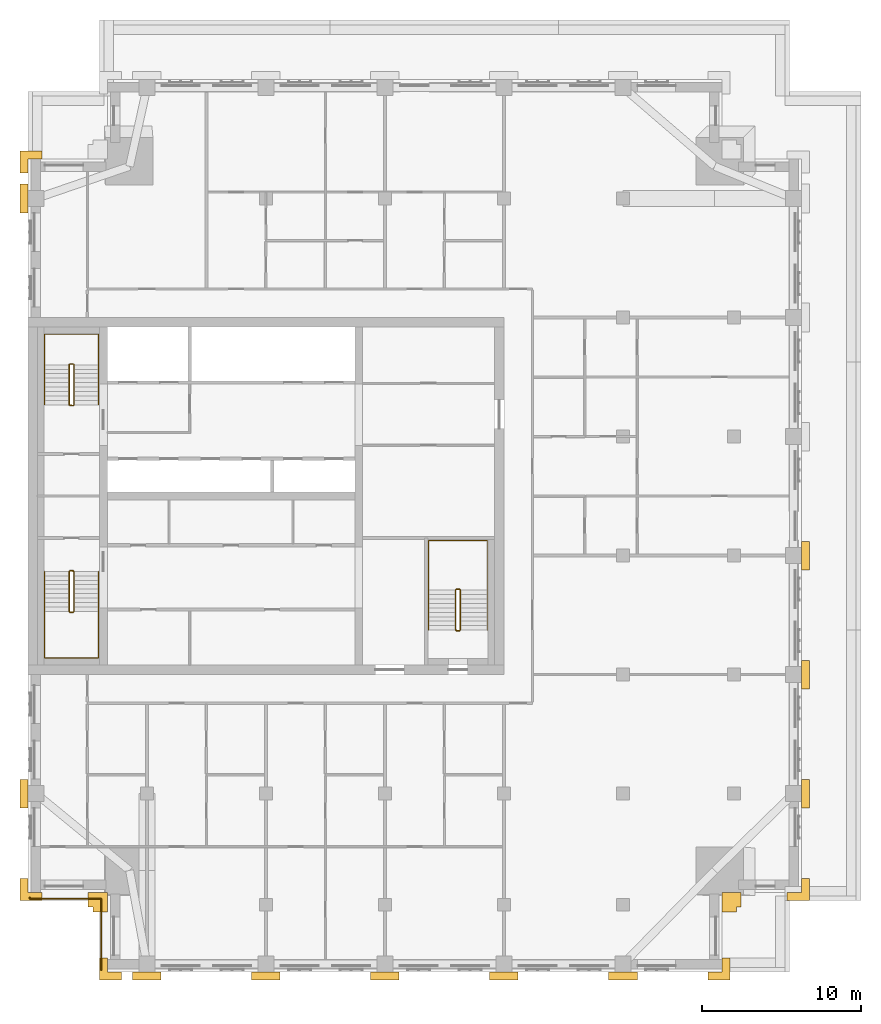
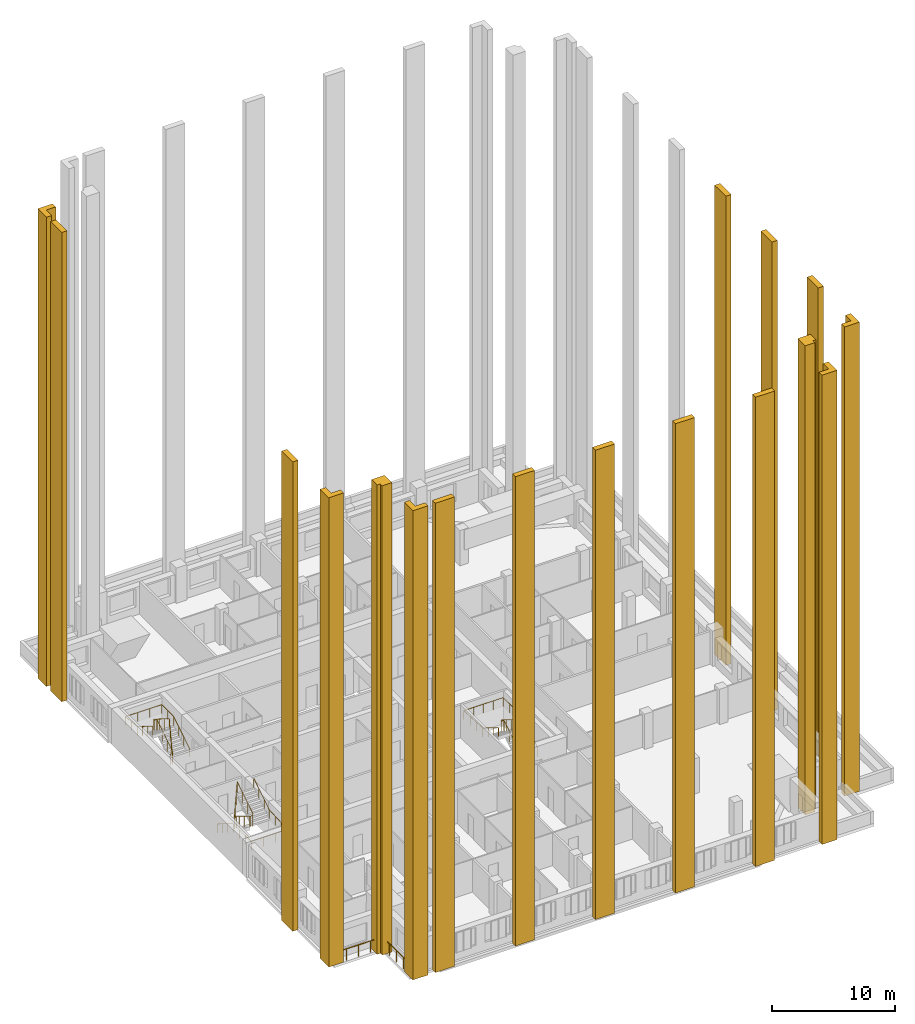
# One storey, part 11 of 12: 17 coverings, 7 railings.
"""IFC4 building model written with IfcOpenShell, lengths in metres."""

from ifc_helpers import new_model, si_unit, direction, frame, origin, origin_2d, place, context, subcontext, project, spatial, polyline, circle, outline, extrude, material, layer, layer_set, type_object, element, save


model = new_model("IFC4")

# Units and contexts
model_context = context("Model", 3, precision=1e-05, world=origin(), true_north=direction((0.0, 1.0)))
body_context = subcontext(model_context, "Body", "Model", "MODEL_VIEW")
ifc_project = project(units=[si_unit("LENGTHUNIT", "METRE"), si_unit("AREAUNIT", "SQUARE_METRE"), si_unit("VOLUMEUNIT", "CUBIC_METRE"), si_unit("PLANEANGLEUNIT", "RADIAN"), si_unit("MASSUNIT", "GRAM", prefix="KILO")], contexts=[model_context])

# Site, building, storey
site_placement = place(None, origin())
site = spatial("IfcSite", under=ifc_project, at=site_placement, CompositionType="ELEMENT")
building_placement = place(site_placement, origin())
building = spatial("IfcBuilding", under=site, at=building_placement, Name="Tamorin Gate", CompositionType="ELEMENT")
storey_placement = place(building_placement, frame((0.0, 0.0, 219.699951171875)))
storey = spatial("IfcBuildingStorey", under=building, at=storey_placement, Name="L54", CompositionType="ELEMENT", Elevation=219.699951171875)

# Coverings
ifc_material_1 = material(Name="Precast concrete C40/50", Category="concrete")
ifc_layer_1 = layer(ifc_material_1, 0.5)
ifc_layer_set_1 = layer_set([ifc_layer_1], Name="Corner pier cladding 500")
covering_type_1 = type_object("IfcCoveringType", Name="Corner pier cladding 500", PredefinedType="CLADDING", material=ifc_layer_set_1)
covering_1_placement = place(storey_placement, origin())
element("IfcCovering", 1, at=covering_1_placement, inside=storey, type_object=covering_type_1, Name="Corner pier", PredefinedType="CLADDING", context=body_context, shape_type="SweptSolid", body=[
    extrude(outline(polyline([(34.5, 40.75), (34.5, 42.14990234375), (35.0, 42.14990234375), (35.0, 41.25), (35.89990234375, 41.25), (35.89990234375, 40.75), (34.5, 40.75)])), origin(), (0.0, 0.0, 1.0), 46.5),
])
covering_2_placement = place(storey_placement, origin())
element("IfcCovering", 2, at=covering_2_placement, inside=storey, type_object=covering_type_1, Name="Corner pier", PredefinedType="CLADDING", context=body_context, shape_type="SweptSolid", body=[
    extrude(outline(polyline([(74.25, 40.75), (72.85009765625, 40.75), (72.85009765625, 41.25), (73.75, 41.25), (73.75, 42.14990234375), (74.25, 42.14990234375), (74.25, 40.75)])), origin(), (0.0, 0.0, 1.0), 46.5),
])
covering_3_placement = place(storey_placement, origin())
element("IfcCovering", 3, at=covering_3_placement, inside=storey, type_object=covering_type_1, Name="Corner pier", PredefinedType="CLADDING", context=body_context, shape_type="SweptSolid", body=[
    extrude(outline(polyline([(79.25, 45.75), (77.85009765625, 45.75), (77.85009765625, 46.25), (78.75, 46.25), (78.75, 47.14990234375), (79.25, 47.14990234375), (79.25, 45.75)])), origin(), (0.0, 0.0, 1.0), 46.5),
])
covering_4_placement = place(storey_placement, origin())
element("IfcCovering", 4, at=covering_4_placement, inside=storey, type_object=covering_type_1, Name="Corner pier", PredefinedType="CLADDING", context=body_context, shape_type="SweptSolid", body=[
    extrude(outline(polyline([(29.5, 93.0), (30.89990234375, 93.0), (30.89990234375, 92.5), (30.0, 92.5), (30.0, 91.60009765625), (29.5, 91.60009765625), (29.5, 93.0)])), origin(), (0.0, 0.0, 1.0), 46.5),
])
covering_5_placement = place(storey_placement, origin())
element("IfcCovering", 5, at=covering_5_placement, inside=storey, type_object=covering_type_1, Name="Corner pier", PredefinedType="CLADDING", context=body_context, shape_type="SweptSolid", body=[
    extrude(outline(polyline([(29.5, 45.75), (29.5, 47.14990234375), (30.0, 47.14990234375), (30.0, 46.25), (30.89990234375, 46.25), (30.89990234375, 45.75), (29.5, 45.75)])), origin(), (0.0, 0.0, 1.0), 46.5),
])
ifc_layer_2 = layer(ifc_material_1, 0.89990234375)
ifc_layer_set_2 = layer_set([ifc_layer_2], Name="Corner pier cladding 900")
covering_type_2 = type_object("IfcCoveringType", Name="Corner pier cladding 900", PredefinedType="CLADDING", material=ifc_layer_set_2)
covering_6_placement = place(storey_placement, origin())
element("IfcCovering", 6, at=covering_6_placement, inside=storey, type_object=covering_type_2, Name="Corner pier", PredefinedType="CLADDING", context=body_context, shape_type="SweptSolid", body=[
    extrude(outline(polyline([(74.64990234375, 45.35009765625), (74.64990234375, 45.050048828125), (73.75, 45.050048828125), (73.75, 46.25), (74.949951171875, 46.25), (74.949951171875, 45.35009765625), (74.64990234375, 45.35009765625)])), origin(), (0.0, 0.0, 1.0), 46.5),
])
covering_7_placement = place(storey_placement, origin())
element("IfcCovering", 7, at=covering_7_placement, inside=storey, type_object=covering_type_2, Name="Corner pier", PredefinedType="CLADDING", context=body_context, shape_type="SweptSolid", body=[
    extrude(outline(polyline([(33.800048828125, 45.35009765625), (33.800048828125, 46.25), (35.0, 46.25), (35.0, 45.050048828125), (34.10009765625, 45.050048828125), (34.10009765625, 45.35009765625), (33.800048828125, 45.35009765625)])), origin(), (0.0, 0.0, 1.0), 46.5),
])
ifc_layer_3 = layer(ifc_material_1, 0.5)
ifc_layer_set_3 = layer_set([ifc_layer_3], Name="Precast concrete C40/50")
covering_type_3 = type_object("IfcCoveringType", Name="Precast pier 1800x500", PredefinedType="CLADDING", material=ifc_layer_set_3)
covering_8_placement = place(storey_placement, origin())
element("IfcCovering", 8, at=covering_8_placement, inside=storey, type_object=covering_type_3, Name="Precast pier", PredefinedType="CLADDING", context=body_context, shape_type="SweptSolid", body=[
    extrude(outline(polyline([(36.60009765625, 41.25), (38.39990234375, 41.25), (38.39990234375, 40.75), (36.60009765625, 40.75), (36.60009765625, 41.25)])), origin(), (0.0, 0.0, 1.0), 46.5),
])
covering_9_placement = place(storey_placement, origin())
element("IfcCovering", 9, at=covering_9_placement, inside=storey, type_object=covering_type_3, Name="Precast pier", PredefinedType="CLADDING", context=body_context, shape_type="SweptSolid", body=[
    extrude(outline(polyline([(44.10009765625, 41.25), (45.89990234375, 41.25), (45.89990234375, 40.75), (44.10009765625, 40.75), (44.10009765625, 41.25)])), origin(), (0.0, 0.0, 1.0), 46.5),
])
covering_10_placement = place(storey_placement, origin())
element("IfcCovering", 10, at=covering_10_placement, inside=storey, type_object=covering_type_3, Name="Precast pier", PredefinedType="CLADDING", context=body_context, shape_type="SweptSolid", body=[
    extrude(outline(polyline([(51.60009765625, 41.25), (53.39990234375, 41.25), (53.39990234375, 40.75), (51.60009765625, 40.75), (51.60009765625, 41.25)])), origin(), (0.0, 0.0, 1.0), 46.5),
])
covering_11_placement = place(storey_placement, origin())
element("IfcCovering", 11, at=covering_11_placement, inside=storey, type_object=covering_type_3, Name="Precast pier", PredefinedType="CLADDING", context=body_context, shape_type="SweptSolid", body=[
    extrude(outline(polyline([(59.10009765625, 41.25), (60.89990234375, 41.25), (60.89990234375, 40.75), (59.10009765625, 40.75), (59.10009765625, 41.25)])), origin(), (0.0, 0.0, 1.0), 46.5),
])
covering_12_placement = place(storey_placement, origin())
element("IfcCovering", 12, at=covering_12_placement, inside=storey, type_object=covering_type_3, Name="Precast pier", PredefinedType="CLADDING", context=body_context, shape_type="SweptSolid", body=[
    extrude(outline(polyline([(66.60009765625, 41.25), (68.39990234375, 41.25), (68.39990234375, 40.75), (66.60009765625, 40.75), (66.60009765625, 41.25)])), origin(), (0.0, 0.0, 1.0), 46.5),
])
covering_13_placement = place(storey_placement, origin())
element("IfcCovering", 13, at=covering_13_placement, inside=storey, type_object=covering_type_3, Name="Precast pier", PredefinedType="CLADDING", context=body_context, shape_type="SweptSolid", body=[
    extrude(outline(polyline([(78.75, 51.60009765625), (78.75, 53.39990234375), (79.25, 53.39990234375), (79.25, 51.60009765625), (78.75, 51.60009765625)])), origin(), (0.0, 0.0, 1.0), 46.5),
])
covering_14_placement = place(storey_placement, origin())
element("IfcCovering", 14, at=covering_14_placement, inside=storey, type_object=covering_type_3, Name="Precast pier", PredefinedType="CLADDING", context=body_context, shape_type="SweptSolid", body=[
    extrude(outline(polyline([(78.75, 59.10009765625), (78.75, 60.89990234375), (79.25, 60.89990234375), (79.25, 59.10009765625), (78.75, 59.10009765625)])), origin(), (0.0, 0.0, 1.0), 46.5),
])
covering_15_placement = place(storey_placement, origin())
element("IfcCovering", 15, at=covering_15_placement, inside=storey, type_object=covering_type_3, Name="Precast pier", PredefinedType="CLADDING", context=body_context, shape_type="SweptSolid", body=[
    extrude(outline(polyline([(78.75, 66.60009765625), (78.75, 68.39990234375), (79.25, 68.39990234375), (79.25, 66.60009765625), (78.75, 66.60009765625)])), origin(), (0.0, 0.0, 1.0), 46.5),
])
covering_16_placement = place(storey_placement, origin())
element("IfcCovering", 16, at=covering_16_placement, inside=storey, type_object=covering_type_3, Name="Precast pier", PredefinedType="CLADDING", context=body_context, shape_type="SweptSolid", body=[
    extrude(outline(polyline([(30.0, 53.39990234375), (30.0, 51.60009765625), (29.5, 51.60009765625), (29.5, 53.39990234375), (30.0, 53.39990234375)])), origin(), (0.0, 0.0, 1.0), 46.5),
])
covering_17_placement = place(storey_placement, origin())
element("IfcCovering", 17, at=covering_17_placement, inside=storey, type_object=covering_type_3, Name="Precast pier", PredefinedType="CLADDING", context=body_context, shape_type="SweptSolid", body=[
    extrude(outline(polyline([(30.0, 90.89990234375), (30.0, 89.10009765625), (29.5, 89.10009765625), (29.5, 90.89990234375), (30.0, 90.89990234375)])), origin(), (0.0, 0.0, 1.0), 46.5),
])

# Railings
ifc_material_2 = material(Name="Painted steel balustrade", Category="steel")
railing_type_1 = type_object("IfcRailingType", Name="Stair guard 1100", PredefinedType="GUARDRAIL", material=ifc_material_2)
railing_1_placement = place(storey_placement, frame((32.60009765625, 66.5, 0.175048828125)))
element("IfcRailing", 18, at=railing_1_placement, inside=storey, type_object=railing_type_1, Name="L54 ST1 stair guard 1", PredefinedType="GUARDRAIL", context=body_context, shape_type="SweptSolid", body=[
    extrude(circle(Radius=0.02392578125, at=origin_2d()), frame((0.0, 0.0, 1.076171875), z_axis=(0.0, -0.848007534815, 0.529984170421), x_axis=(1.0, 0.0, 0.0)), (0.0, 0.0, 1.0), 2.9716796875),
    extrude(circle(Radius=0.02392578125, at=origin_2d()), frame((0.0, -2.52001953125, 2.65087890625), z_axis=(0.705375805398, -0.708833529934, 0.0), x_axis=(0.708833529934, 0.705375805398, 0.0)), (0.0, 0.0, 1.0), 0.070556640625),
    extrude(circle(Radius=0.02392578125, at=origin_2d()), frame((0.0498046875, -2.570068359375, 2.65087890625), z_axis=(1.0, 0.0, 0.0), x_axis=(0.0, 1.0, 0.0)), (0.0, 0.0, 1.0), 0.2001953125),
    extrude(circle(Radius=0.02392578125, at=origin_2d()), frame((0.25, -2.570068359375, 2.65087890625), z_axis=(0.263862480399, 0.265155923931, 0.927399011991), x_axis=(-0.708833529934, 0.705375805398, 0.0)), (0.0, 0.0, 1.0), 0.188720703125),
    extrude(circle(Radius=0.02392578125, at=origin_2d()), frame((0.2998046875, -2.52001953125, 2.826171875), z_axis=(0.0, 0.848007534815, 0.529984170421), x_axis=(-1.0, 0.0, 0.0)), (0.0, 0.0, 1.0), 2.9716796875),
    extrude(circle(Radius=0.02392578125, at=origin_2d()), frame((0.2998046875, 0.0, 4.40087890625), z_axis=(-0.071239803756, 0.014261874775, -0.997357252587), x_axis=(-0.196300278283, -0.98054382908, 0.0)), (0.0, 0.0, 1.0), 3.50927734375),
    extrude(circle(Radius=0.02392578125, at=origin_2d()), frame((0.0498046875, 0.050048828125, 0.90087890625), z_axis=(1.0, 0.0, 0.0), x_axis=(0.0, 1.0, 0.0)), (0.0, 0.0, 1.0), 0.2001953125),
    extrude(circle(Radius=0.02099609375, at=origin_2d()), origin(), (0.0, 0.0, 1.0), 1.052001953125),
    extrude(circle(Radius=0.02099609375, at=origin_2d()), frame((0.0, -0.840087890625, 0.52490234375)), (0.0, 0.0, 1.0), 1.052001953125),
    extrude(circle(Radius=0.02099609375, at=origin_2d()), frame((0.0, -1.679931640625, 1.050048828125)), (0.0, 0.0, 1.0), 1.052001953125),
    extrude(circle(Radius=0.02099609375, at=origin_2d()), frame((0.0, -2.52001953125, 1.574951171875)), (0.0, 0.0, 1.0), 1.052001953125),
    extrude(circle(Radius=0.02099609375, at=origin_2d()), frame((0.0498046875, -2.570068359375, 1.574951171875)), (0.0, 0.0, 1.0), 1.052001953125),
    extrude(circle(Radius=0.02099609375, at=origin_2d()), frame((0.25, -2.570068359375, 1.574951171875)), (0.0, 0.0, 1.0), 1.052001953125),
    extrude(circle(Radius=0.02099609375, at=origin_2d()), frame((0.2998046875, -2.52001953125, 1.75)), (0.0, 0.0, 1.0), 1.052001953125),
    extrude(circle(Radius=0.02099609375, at=origin_2d()), frame((0.2998046875, -1.679931640625, 2.27490234375)), (0.0, 0.0, 1.0), 1.052001953125),
    extrude(circle(Radius=0.02099609375, at=origin_2d()), frame((0.2998046875, -0.840087890625, 2.800048828125)), (0.0, 0.0, 1.0), 1.052001953125),
    extrude(circle(Radius=0.02099609375, at=origin_2d()), frame((0.2998046875, 0.0, 3.324951171875)), (0.0, 0.0, 1.0), 1.052001953125),
    extrude(circle(Radius=0.02099609375, at=origin_2d()), frame((0.216552734375, 0.0166015625, 2.158203125)), (0.0, 0.0, 1.0), 1.052001953125),
    extrude(circle(Radius=0.02099609375, at=origin_2d()), frame((0.133056640625, 0.033447265625, 0.99169921875)), (0.0, 0.0, 1.0), 1.052001953125),
    extrude(circle(Radius=0.02099609375, at=origin_2d()), frame((0.0498046875, 0.050048828125, -0.175048828125)), (0.0, 0.0, 1.0), 1.052001953125),
    extrude(circle(Radius=0.02099609375, at=origin_2d()), frame((0.25, 0.050048828125, -0.175048828125)), (0.0, 0.0, 1.0), 1.052001953125),
])
railing_2_placement = place(storey_placement, frame((32.89990234375, 77.0, 0.175048828125)))
element("IfcRailing", 19, at=railing_2_placement, inside=storey, type_object=railing_type_1, Name="L54 ST2 stair guard 1", PredefinedType="GUARDRAIL", context=body_context, shape_type="SweptSolid", body=[
    extrude(circle(Radius=0.02392578125, at=origin_2d()), frame((0.0, 0.0, 1.076171875), z_axis=(0.0, 0.848007534815, 0.529984170421), x_axis=(-1.0, 0.0, 0.0)), (0.0, 0.0, 1.0), 2.9716796875),
    extrude(circle(Radius=0.02392578125, at=origin_2d()), frame((0.0, 2.52001953125, 2.65087890625), z_axis=(-0.705375805398, 0.708833529934, 0.0), x_axis=(-0.708833529934, -0.705375805398, 0.0)), (0.0, 0.0, 1.0), 0.070556640625),
    extrude(circle(Radius=0.02392578125, at=origin_2d()), frame((-0.0498046875, 2.570068359375, 2.65087890625), z_axis=(-1.0, 0.0, 0.0), x_axis=(0.0, -1.0, 0.0)), (0.0, 0.0, 1.0), 0.2001953125),
    extrude(circle(Radius=0.02392578125, at=origin_2d()), frame((-0.25, 2.570068359375, 2.65087890625), z_axis=(-0.263862480399, -0.265155923931, 0.927399011991), x_axis=(0.708833529934, -0.705375805398, 0.0)), (0.0, 0.0, 1.0), 0.188720703125),
    extrude(circle(Radius=0.02392578125, at=origin_2d()), frame((-0.2998046875, 2.52001953125, 2.826171875), z_axis=(0.0, -0.848007534815, 0.529984170421), x_axis=(1.0, 0.0, 0.0)), (0.0, 0.0, 1.0), 2.9716796875),
    extrude(circle(Radius=0.02392578125, at=origin_2d()), frame((-0.2998046875, 0.0, 4.40087890625), z_axis=(0.071239803756, -0.014261874775, -0.997357252587), x_axis=(0.196300278283, 0.98054382908, 0.0)), (0.0, 0.0, 1.0), 3.50927734375),
    extrude(circle(Radius=0.02392578125, at=origin_2d()), frame((-0.0498046875, -0.050048828125, 0.90087890625), z_axis=(-1.0, 0.0, 0.0), x_axis=(0.0, -1.0, 0.0)), (0.0, 0.0, 1.0), 0.2001953125),
    extrude(circle(Radius=0.02099609375, at=origin_2d()), origin(), (0.0, 0.0, 1.0), 1.052001953125),
    extrude(circle(Radius=0.02099609375, at=origin_2d()), frame((0.0, 0.840087890625, 0.52490234375)), (0.0, 0.0, 1.0), 1.052001953125),
    extrude(circle(Radius=0.02099609375, at=origin_2d()), frame((0.0, 1.679931640625, 1.050048828125)), (0.0, 0.0, 1.0), 1.052001953125),
    extrude(circle(Radius=0.02099609375, at=origin_2d()), frame((0.0, 2.52001953125, 1.574951171875)), (0.0, 0.0, 1.0), 1.052001953125),
    extrude(circle(Radius=0.02099609375, at=origin_2d()), frame((-0.0498046875, 2.570068359375, 1.574951171875)), (0.0, 0.0, 1.0), 1.052001953125),
    extrude(circle(Radius=0.02099609375, at=origin_2d()), frame((-0.25, 2.570068359375, 1.574951171875)), (0.0, 0.0, 1.0), 1.052001953125),
    extrude(circle(Radius=0.02099609375, at=origin_2d()), frame((-0.2998046875, 2.52001953125, 1.75)), (0.0, 0.0, 1.0), 1.052001953125),
    extrude(circle(Radius=0.02099609375, at=origin_2d()), frame((-0.2998046875, 1.679931640625, 2.27490234375)), (0.0, 0.0, 1.0), 1.052001953125),
    extrude(circle(Radius=0.02099609375, at=origin_2d()), frame((-0.2998046875, 0.840087890625, 2.800048828125)), (0.0, 0.0, 1.0), 1.052001953125),
    extrude(circle(Radius=0.02099609375, at=origin_2d()), frame((-0.2998046875, 0.0, 3.324951171875)), (0.0, 0.0, 1.0), 1.052001953125),
    extrude(circle(Radius=0.02099609375, at=origin_2d()), frame((-0.216552734375, -0.0166015625, 2.158203125)), (0.0, 0.0, 1.0), 1.052001953125),
    extrude(circle(Radius=0.02099609375, at=origin_2d()), frame((-0.133056640625, -0.033447265625, 0.99169921875)), (0.0, 0.0, 1.0), 1.052001953125),
    extrude(circle(Radius=0.02099609375, at=origin_2d()), frame((-0.0498046875, -0.050048828125, -0.175048828125)), (0.0, 0.0, 1.0), 1.052001953125),
    extrude(circle(Radius=0.02099609375, at=origin_2d()), frame((-0.25, -0.050048828125, -0.175048828125)), (0.0, 0.0, 1.0), 1.052001953125),
])
railing_3_placement = place(storey_placement, frame((57.25, 62.800048828125, 0.175048828125)))
element("IfcRailing", 20, at=railing_3_placement, inside=storey, type_object=railing_type_1, Name="L54 ST3 stair guard 1", PredefinedType="GUARDRAIL", context=body_context, shape_type="SweptSolid", body=[
    extrude(circle(Radius=0.02392578125, at=origin_2d()), frame((0.0, 0.0, 1.076171875), z_axis=(0.0, 0.848007534815, 0.529984170421), x_axis=(-1.0, 0.0, 0.0)), (0.0, 0.0, 1.0), 2.9716796875),
    extrude(circle(Radius=0.02392578125, at=origin_2d()), frame((0.0, 2.52001953125, 2.65087890625), z_axis=(-0.707106781187, 0.707106781187, 0.0), x_axis=(-0.707106781187, -0.707106781187, 0.0)), (0.0, 0.0, 1.0), 0.07080078125),
    extrude(circle(Radius=0.02392578125, at=origin_2d()), frame((-0.050048828125, 2.570068359375, 2.65087890625), z_axis=(-1.0, 0.0, 0.0), x_axis=(0.0, -1.0, 0.0)), (0.0, 0.0, 1.0), 0.199951171875),
    extrude(circle(Radius=0.02392578125, at=origin_2d()), frame((-0.25, 2.570068359375, 2.65087890625), z_axis=(-0.265065253269, -0.265065253269, 0.927081885822), x_axis=(0.707106781187, -0.707106781187, 0.0)), (0.0, 0.0, 1.0), 0.188720703125),
    extrude(circle(Radius=0.02392578125, at=origin_2d()), frame((-0.300048828125, 2.52001953125, 2.826171875), z_axis=(0.0, -0.848007534815, 0.529984170421), x_axis=(1.0, 0.0, 0.0)), (0.0, 0.0, 1.0), 2.9716796875),
    extrude(circle(Radius=0.02392578125, at=origin_2d()), frame((-0.300048828125, 0.0, 4.40087890625), z_axis=(0.071239803756, -0.014261874775, -0.997357252587), x_axis=(0.196300278283, 0.98054382908, 0.0)), (0.0, 0.0, 1.0), 3.50927734375),
    extrude(circle(Radius=0.02392578125, at=origin_2d()), frame((-0.050048828125, -0.050048828125, 0.90087890625), z_axis=(-1.0, 0.0, 0.0), x_axis=(0.0, -1.0, 0.0)), (0.0, 0.0, 1.0), 0.199951171875),
    extrude(circle(Radius=0.02099609375, at=origin_2d()), origin(), (0.0, 0.0, 1.0), 1.052001953125),
    extrude(circle(Radius=0.02099609375, at=origin_2d()), frame((0.0, 0.840087890625, 0.52490234375)), (0.0, 0.0, 1.0), 1.052001953125),
    extrude(circle(Radius=0.02099609375, at=origin_2d()), frame((0.0, 1.679931640625, 1.050048828125)), (0.0, 0.0, 1.0), 1.052001953125),
    extrude(circle(Radius=0.02099609375, at=origin_2d()), frame((0.0, 2.52001953125, 1.574951171875)), (0.0, 0.0, 1.0), 1.052001953125),
    extrude(circle(Radius=0.02099609375, at=origin_2d()), frame((-0.050048828125, 2.570068359375, 1.574951171875)), (0.0, 0.0, 1.0), 1.052001953125),
    extrude(circle(Radius=0.02099609375, at=origin_2d()), frame((-0.25, 2.570068359375, 1.574951171875)), (0.0, 0.0, 1.0), 1.052001953125),
    extrude(circle(Radius=0.02099609375, at=origin_2d()), frame((-0.300048828125, 2.52001953125, 1.75)), (0.0, 0.0, 1.0), 1.052001953125),
    extrude(circle(Radius=0.02099609375, at=origin_2d()), frame((-0.300048828125, 1.679931640625, 2.27490234375)), (0.0, 0.0, 1.0), 1.052001953125),
    extrude(circle(Radius=0.02099609375, at=origin_2d()), frame((-0.300048828125, 0.840087890625, 2.800048828125)), (0.0, 0.0, 1.0), 1.052001953125),
    extrude(circle(Radius=0.02099609375, at=origin_2d()), frame((-0.300048828125, 0.0, 3.324951171875)), (0.0, 0.0, 1.0), 1.052001953125),
    extrude(circle(Radius=0.02099609375, at=origin_2d()), frame((-0.216796875, -0.0166015625, 2.158203125)), (0.0, 0.0, 1.0), 1.052001953125),
    extrude(circle(Radius=0.02099609375, at=origin_2d()), frame((-0.13330078125, -0.033447265625, 0.99169921875)), (0.0, 0.0, 1.0), 1.052001953125),
    extrude(circle(Radius=0.02099609375, at=origin_2d()), frame((-0.050048828125, -0.050048828125, -0.175048828125)), (0.0, 0.0, 1.0), 1.052001953125),
    extrude(circle(Radius=0.02099609375, at=origin_2d()), frame((-0.25, -0.050048828125, -0.175048828125)), (0.0, 0.0, 1.0), 1.052001953125),
])
ifc_material_3 = material(Name="Painted steel handrail", Category="steel")
railing_type_2 = type_object("IfcRailingType", Name="Stair handrail 900", PredefinedType="HANDRAIL", material=ifc_material_3)
railing_4_placement = place(storey_placement, frame((31.050048828125, 66.5, 0.175048828125)))
element("IfcRailing", 21, at=railing_4_placement, inside=storey, type_object=railing_type_2, Name="L54 ST1 stair handrail 1", PredefinedType="HANDRAIL", context=body_context, shape_type="SweptSolid", body=[
    extrude(circle(Radius=0.02392578125, at=origin_2d()), frame((0.0, 0.0, 0.8759765625), z_axis=(0.0, -0.848007534815, 0.529984170421), x_axis=(1.0, 0.0, 0.0)), (0.0, 0.0, 1.0), 2.9716796875),
    extrude(circle(Radius=0.02392578125, at=origin_2d()), frame((0.0, -2.52001953125, 2.45068359375), z_axis=(0.0, -1.0, 0.0), x_axis=(1.0, 0.0, 0.0)), (0.0, 0.0, 1.0), 2.929931640625),
    extrude(circle(Radius=0.02392578125, at=origin_2d()), frame((0.0, -5.449951171875, 2.45068359375), z_axis=(1.0, 0.0, 0.0), x_axis=(0.0, 1.0, 0.0)), (0.0, 0.0, 1.0), 3.39990234375),
    extrude(circle(Radius=0.02392578125, at=origin_2d()), frame((3.39990234375, -5.449951171875, 2.45068359375), z_axis=(0.0, 0.998220029962, 0.0596386769), x_axis=(-1.0, 0.0, 0.0)), (0.0, 0.0, 1.0), 2.93505859375),
    extrude(circle(Radius=0.02392578125, at=origin_2d()), frame((3.39990234375, -2.52001953125, 2.6259765625), z_axis=(0.0, 0.848007534815, 0.529984170421), x_axis=(-1.0, 0.0, 0.0)), (0.0, 0.0, 1.0), 2.9716796875),
    extrude(circle(Radius=0.02099609375, at=origin_2d()), origin(), (0.0, 0.0, 1.0), 0.851806640625),
    extrude(circle(Radius=0.02099609375, at=origin_2d()), frame((0.0, -0.840087890625, 0.52490234375)), (0.0, 0.0, 1.0), 0.851806640625),
    extrude(circle(Radius=0.02099609375, at=origin_2d()), frame((0.0, -1.679931640625, 1.050048828125)), (0.0, 0.0, 1.0), 0.851806640625),
    extrude(circle(Radius=0.02099609375, at=origin_2d()), frame((0.0, -2.52001953125, 1.574951171875)), (0.0, 0.0, 1.0), 0.851806640625),
    extrude(circle(Radius=0.02099609375, at=origin_2d()), frame((0.0, -3.49658203125, 1.574951171875)), (0.0, 0.0, 1.0), 0.851806640625),
    extrude(circle(Radius=0.02099609375, at=origin_2d()), frame((0.0, -4.473388671875, 1.574951171875)), (0.0, 0.0, 1.0), 0.851806640625),
    extrude(circle(Radius=0.02099609375, at=origin_2d()), frame((0.0, -5.449951171875, 1.574951171875)), (0.0, 0.0, 1.0), 0.851806640625),
    extrude(circle(Radius=0.02099609375, at=origin_2d()), frame((1.13330078125, -5.449951171875, 1.574951171875)), (0.0, 0.0, 1.0), 0.851806640625),
    extrude(circle(Radius=0.02099609375, at=origin_2d()), frame((2.2666015625, -5.449951171875, 1.574951171875)), (0.0, 0.0, 1.0), 0.851806640625),
    extrude(circle(Radius=0.02099609375, at=origin_2d()), frame((3.39990234375, -5.449951171875, 1.574951171875)), (0.0, 0.0, 1.0), 0.851806640625),
    extrude(circle(Radius=0.02099609375, at=origin_2d()), frame((3.39990234375, -4.473388671875, 1.63330078125)), (0.0, 0.0, 1.0), 0.851806640625),
    extrude(circle(Radius=0.02099609375, at=origin_2d()), frame((3.39990234375, -3.49658203125, 1.691650390625)), (0.0, 0.0, 1.0), 0.851806640625),
    extrude(circle(Radius=0.02099609375, at=origin_2d()), frame((3.39990234375, -2.52001953125, 1.75)), (0.0, 0.0, 1.0), 0.851806640625),
    extrude(circle(Radius=0.02099609375, at=origin_2d()), frame((3.39990234375, -1.679931640625, 2.27490234375)), (0.0, 0.0, 1.0), 0.851806640625),
    extrude(circle(Radius=0.02099609375, at=origin_2d()), frame((3.39990234375, -0.840087890625, 2.800048828125)), (0.0, 0.0, 1.0), 0.851806640625),
    extrude(circle(Radius=0.02099609375, at=origin_2d()), frame((3.39990234375, 0.0, 3.324951171875)), (0.0, 0.0, 1.0), 0.851806640625),
])
railing_5_placement = place(storey_placement, frame((34.449951171875, 77.0, 0.175048828125)))
element("IfcRailing", 22, at=railing_5_placement, inside=storey, type_object=railing_type_2, Name="L54 ST2 stair handrail 1", PredefinedType="HANDRAIL", context=body_context, shape_type="SweptSolid", body=[
    extrude(circle(Radius=0.02392578125, at=origin_2d()), frame((0.0, 0.0, 0.8759765625), z_axis=(0.0, 0.848007534815, 0.529984170421), x_axis=(-1.0, 0.0, 0.0)), (0.0, 0.0, 1.0), 2.9716796875),
    extrude(circle(Radius=0.02392578125, at=origin_2d()), frame((0.0, 2.52001953125, 2.45068359375), z_axis=(0.0, 1.0, 0.0), x_axis=(-1.0, 0.0, 0.0)), (0.0, 0.0, 1.0), 1.929931640625),
    extrude(circle(Radius=0.02392578125, at=origin_2d()), frame((0.0, 4.449951171875, 2.45068359375), z_axis=(-1.0, 0.0, 0.0), x_axis=(0.0, -1.0, 0.0)), (0.0, 0.0, 1.0), 3.39990234375),
    extrude(circle(Radius=0.02392578125, at=origin_2d()), frame((-3.39990234375, 4.449951171875, 2.45068359375), z_axis=(0.0, -0.995911773435, 0.090331276604), x_axis=(1.0, 0.0, 0.0)), (0.0, 0.0, 1.0), 1.937744140625),
    extrude(circle(Radius=0.02392578125, at=origin_2d()), frame((-3.39990234375, 2.52001953125, 2.6259765625), z_axis=(0.0, -0.848007534815, 0.529984170421), x_axis=(1.0, 0.0, 0.0)), (0.0, 0.0, 1.0), 2.9716796875),
    extrude(circle(Radius=0.02099609375, at=origin_2d()), origin(), (0.0, 0.0, 1.0), 0.851806640625),
    extrude(circle(Radius=0.02099609375, at=origin_2d()), frame((0.0, 0.840087890625, 0.52490234375)), (0.0, 0.0, 1.0), 0.851806640625),
    extrude(circle(Radius=0.02099609375, at=origin_2d()), frame((0.0, 1.679931640625, 1.050048828125)), (0.0, 0.0, 1.0), 0.851806640625),
    extrude(circle(Radius=0.02099609375, at=origin_2d()), frame((0.0, 2.52001953125, 1.574951171875)), (0.0, 0.0, 1.0), 0.851806640625),
    extrude(circle(Radius=0.02099609375, at=origin_2d()), frame((0.0, 3.48486328125, 1.574951171875)), (0.0, 0.0, 1.0), 0.851806640625),
    extrude(circle(Radius=0.02099609375, at=origin_2d()), frame((0.0, 4.449951171875, 1.574951171875)), (0.0, 0.0, 1.0), 0.851806640625),
    extrude(circle(Radius=0.02099609375, at=origin_2d()), frame((-1.13330078125, 4.449951171875, 1.574951171875)), (0.0, 0.0, 1.0), 0.851806640625),
    extrude(circle(Radius=0.02099609375, at=origin_2d()), frame((-2.2666015625, 4.449951171875, 1.574951171875)), (0.0, 0.0, 1.0), 0.851806640625),
    extrude(circle(Radius=0.02099609375, at=origin_2d()), frame((-3.39990234375, 4.449951171875, 1.574951171875)), (0.0, 0.0, 1.0), 0.851806640625),
    extrude(circle(Radius=0.02099609375, at=origin_2d()), frame((-3.39990234375, 3.48486328125, 1.66259765625)), (0.0, 0.0, 1.0), 0.851806640625),
    extrude(circle(Radius=0.02099609375, at=origin_2d()), frame((-3.39990234375, 2.52001953125, 1.75)), (0.0, 0.0, 1.0), 0.851806640625),
    extrude(circle(Radius=0.02099609375, at=origin_2d()), frame((-3.39990234375, 1.679931640625, 2.27490234375)), (0.0, 0.0, 1.0), 0.851806640625),
    extrude(circle(Radius=0.02099609375, at=origin_2d()), frame((-3.39990234375, 0.840087890625, 2.800048828125)), (0.0, 0.0, 1.0), 0.851806640625),
    extrude(circle(Radius=0.02099609375, at=origin_2d()), frame((-3.39990234375, 0.0, 3.324951171875)), (0.0, 0.0, 1.0), 0.851806640625),
])
railing_6_placement = place(storey_placement, frame((58.949951171875, 62.800048828125, 0.175048828125)))
element("IfcRailing", 23, at=railing_6_placement, inside=storey, type_object=railing_type_2, Name="L54 ST3 stair handrail 1", PredefinedType="HANDRAIL", context=body_context, shape_type="SweptSolid", body=[
    extrude(circle(Radius=0.02392578125, at=origin_2d()), frame((0.0, 0.0, 0.8759765625), z_axis=(0.0, 0.848007534815, 0.529984170421), x_axis=(-1.0, 0.0, 0.0)), (0.0, 0.0, 1.0), 2.9716796875),
    extrude(circle(Radius=0.02392578125, at=origin_2d()), frame((0.0, 2.52001953125, 2.45068359375), z_axis=(0.0, 1.0, 0.0), x_axis=(-1.0, 0.0, 0.0)), (0.0, 0.0, 1.0), 3.1298828125),
    extrude(circle(Radius=0.02392578125, at=origin_2d()), frame((0.0, 5.64990234375, 2.45068359375), z_axis=(-1.0, 0.0, 0.0), x_axis=(0.0, -1.0, 0.0)), (0.0, 0.0, 1.0), 3.699951171875),
    extrude(circle(Radius=0.02392578125, at=origin_2d()), frame((-3.699951171875, 5.64990234375, 2.45068359375), z_axis=(0.0, -0.998439675676, 0.055840970941), x_axis=(1.0, 0.0, 0.0)), (0.0, 0.0, 1.0), 3.134765625),
    extrude(circle(Radius=0.02392578125, at=origin_2d()), frame((-3.699951171875, 2.52001953125, 2.6259765625), z_axis=(0.0, -0.848007534815, 0.529984170421), x_axis=(1.0, 0.0, 0.0)), (0.0, 0.0, 1.0), 2.9716796875),
    extrude(circle(Radius=0.02099609375, at=origin_2d()), origin(), (0.0, 0.0, 1.0), 0.851806640625),
    extrude(circle(Radius=0.02099609375, at=origin_2d()), frame((0.0, 0.840087890625, 0.52490234375)), (0.0, 0.0, 1.0), 0.851806640625),
    extrude(circle(Radius=0.02099609375, at=origin_2d()), frame((0.0, 1.679931640625, 1.050048828125)), (0.0, 0.0, 1.0), 0.851806640625),
    extrude(circle(Radius=0.02099609375, at=origin_2d()), frame((0.0, 2.52001953125, 1.574951171875)), (0.0, 0.0, 1.0), 0.851806640625),
    extrude(circle(Radius=0.02099609375, at=origin_2d()), frame((0.0, 3.563232421875, 1.574951171875)), (0.0, 0.0, 1.0), 0.851806640625),
    extrude(circle(Radius=0.02099609375, at=origin_2d()), frame((0.0, 4.606689453125, 1.574951171875)), (0.0, 0.0, 1.0), 0.851806640625),
    extrude(circle(Radius=0.02099609375, at=origin_2d()), frame((0.0, 5.64990234375, 1.574951171875)), (0.0, 0.0, 1.0), 0.851806640625),
    extrude(circle(Radius=0.02099609375, at=origin_2d()), frame((-0.925048828125, 5.64990234375, 1.574951171875)), (0.0, 0.0, 1.0), 0.851806640625),
    extrude(circle(Radius=0.02099609375, at=origin_2d()), frame((-1.85009765625, 5.64990234375, 1.574951171875)), (0.0, 0.0, 1.0), 0.851806640625),
    extrude(circle(Radius=0.02099609375, at=origin_2d()), frame((-2.77490234375, 5.64990234375, 1.574951171875)), (0.0, 0.0, 1.0), 0.851806640625),
    extrude(circle(Radius=0.02099609375, at=origin_2d()), frame((-3.699951171875, 5.64990234375, 1.574951171875)), (0.0, 0.0, 1.0), 0.851806640625),
    extrude(circle(Radius=0.02099609375, at=origin_2d()), frame((-3.699951171875, 4.606689453125, 1.63330078125)), (0.0, 0.0, 1.0), 0.851806640625),
    extrude(circle(Radius=0.02099609375, at=origin_2d()), frame((-3.699951171875, 3.563232421875, 1.691650390625)), (0.0, 0.0, 1.0), 0.851806640625),
    extrude(circle(Radius=0.02099609375, at=origin_2d()), frame((-3.699951171875, 2.52001953125, 1.75)), (0.0, 0.0, 1.0), 0.851806640625),
    extrude(circle(Radius=0.02099609375, at=origin_2d()), frame((-3.699951171875, 1.679931640625, 2.27490234375)), (0.0, 0.0, 1.0), 0.851806640625),
    extrude(circle(Radius=0.02099609375, at=origin_2d()), frame((-3.699951171875, 0.840087890625, 2.800048828125)), (0.0, 0.0, 1.0), 0.851806640625),
    extrude(circle(Radius=0.02099609375, at=origin_2d()), frame((-3.699951171875, 0.0, 3.324951171875)), (0.0, 0.0, 1.0), 0.851806640625),
])
ifc_material_4 = material(Name="Stainless steel", Category="steel")
railing_type_3 = type_object("IfcRailingType", Name="Terrace guard 1150", PredefinedType="GUARDRAIL", material=ifc_material_4)
railing_7_placement = place(storey_placement, frame((34.6201171875, 41.3701171875, 0.0)))
element("IfcRailing", 24, at=railing_7_placement, inside=storey, type_object=railing_type_3, Name="Deck edge guard", PredefinedType="GUARDRAIL", context=body_context, shape_type="SweptSolid", body=[
    extrude(circle(Radius=0.02392578125, at=origin_2d()), frame((0.0, 0.0, 1.1259765625), z_axis=(0.0, 1.0, 0.0), x_axis=(-1.0, 0.0, 0.0)), (0.0, 0.0, 1.0), 4.5),
    extrude(circle(Radius=0.02392578125, at=origin_2d()), frame((0.0, 4.5, 1.1259765625), z_axis=(-1.0, 0.0, 0.0), x_axis=(0.0, -1.0, 0.0)), (0.0, 0.0, 1.0), 4.5),
    extrude(circle(Radius=0.02392578125, at=origin_2d()), frame((-4.5, 4.5, 1.1259765625), z_axis=(0.0, 1.0, 0.0), x_axis=(-1.0, 0.0, 0.0)), (0.0, 0.0, 1.0), 0.079833984375),
    extrude(circle(Radius=0.02099609375, at=origin_2d()), origin(), (0.0, 0.0, 1.0), 1.101806640625),
    extrude(circle(Radius=0.02099609375, at=origin_2d()), frame((0.0, 1.125, 0.0)), (0.0, 0.0, 1.0), 1.101806640625),
    extrude(circle(Radius=0.02099609375, at=origin_2d()), frame((0.0, 2.25, 0.0)), (0.0, 0.0, 1.0), 1.101806640625),
    extrude(circle(Radius=0.02099609375, at=origin_2d()), frame((0.0, 3.375, 0.0)), (0.0, 0.0, 1.0), 1.101806640625),
    extrude(circle(Radius=0.02099609375, at=origin_2d()), frame((0.0, 4.5, 0.0)), (0.0, 0.0, 1.0), 1.101806640625),
    extrude(circle(Radius=0.02099609375, at=origin_2d()), frame((-1.125, 4.5, 0.0)), (0.0, 0.0, 1.0), 1.101806640625),
    extrude(circle(Radius=0.02099609375, at=origin_2d()), frame((-2.25, 4.5, 0.0)), (0.0, 0.0, 1.0), 1.101806640625),
    extrude(circle(Radius=0.02099609375, at=origin_2d()), frame((-3.375, 4.5, 0.0)), (0.0, 0.0, 1.0), 1.101806640625),
    extrude(circle(Radius=0.02099609375, at=origin_2d()), frame((-4.5, 4.5, 0.0)), (0.0, 0.0, 1.0), 1.101806640625),
    extrude(circle(Radius=0.02099609375, at=origin_2d()), frame((-4.5, 4.579833984375, 0.0)), (0.0, 0.0, 1.0), 1.101806640625),
])

save(model, "model.ifc")
